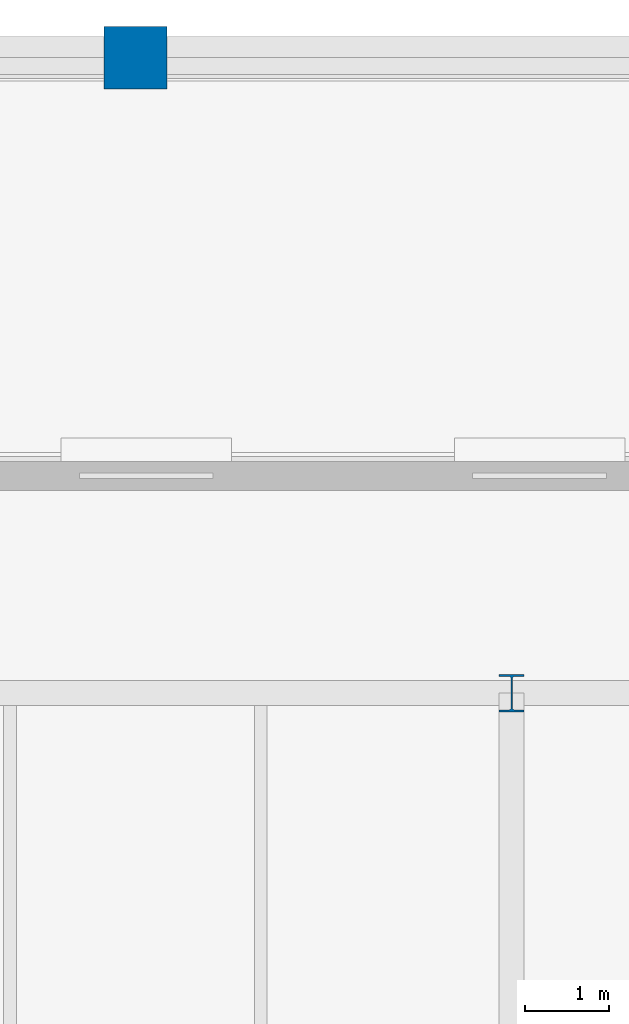
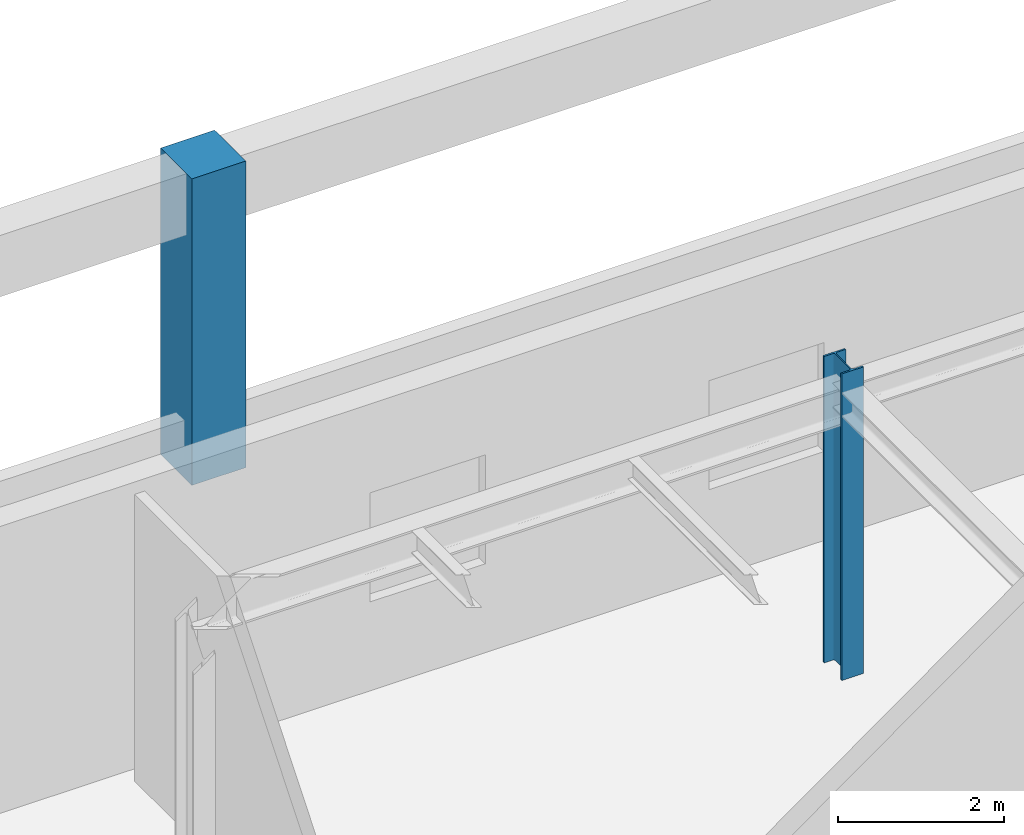
# One storey, part 15 of 64: 2 columns.
"""IFC4 building model written with IfcOpenShell, lengths in metres."""

from ifc_helpers import new_model, si_unit, direction, frame, origin, origin_2d, place, context, subcontext, project, spatial, rectangle, i_section, extrude, material, material_profile, profile_set, type_object, element, save


model = new_model("IFC4")

# Units and contexts
model_context = context("Model", 3, precision=1e-05, world=origin(), true_north=direction((0.0, 1.0)))
body_context = subcontext(model_context, "Body", "Model", "MODEL_VIEW")
ifc_project = project(units=[si_unit("LENGTHUNIT", "METRE"), si_unit("AREAUNIT", "SQUARE_METRE"), si_unit("VOLUMEUNIT", "CUBIC_METRE"), si_unit("PLANEANGLEUNIT", "RADIAN"), si_unit("MASSUNIT", "GRAM", prefix="KILO")], contexts=[model_context])

# Site, building, storey
site_placement = place(None, origin())
site = spatial("IfcSite", under=ifc_project, at=site_placement, CompositionType="ELEMENT")
building_placement = place(site_placement, origin())
building = spatial("IfcBuilding", under=site, at=building_placement, Name="Montealbar Specialist Clinic", CompositionType="ELEMENT")
storey_placement = place(building_placement, frame((0.0, 0.0, 5.10009765625)))
storey = spatial("IfcBuildingStorey", under=building, at=storey_placement, Name="L01", CompositionType="ELEMENT", Elevation=5.10009765625)

# Columns
ifc_material_1 = material(Name="Steel S355", Category="steel")
ifc_material_profile_1 = material_profile(ifc_material_1, i_section(OverallWidth=0.300048828125, OverallDepth=0.449951171875, WebThickness=0.013916015625, FlangeThickness=0.02587890625, FilletRadius=0.027099609375, at=origin_2d()), Name="HEB 450", Category="steel")
ifc_profile_set_1 = profile_set([ifc_material_profile_1], Name="Steel S355")
column_type_1 = type_object("IfcColumnType", Name="COL-S-L01-STD", PredefinedType="COLUMN", material=ifc_profile_set_1)
column_1_placement = place(storey_placement, frame((120.0, 103.39990234375, 0.0), z_axis=(0.0, 0.0, 1.0), x_axis=(1.0, 0.0, 0.0)))
element("IfcColumn", 1, at=column_1_placement, inside=storey, type_object=column_type_1, Name="Column 16/N L01", PredefinedType="COLUMN", context=body_context, shape_type="SweptSolid", body=[
    extrude(i_section(OverallWidth=0.300048828125, OverallDepth=0.449951171875, WebThickness=0.013916015625, FlangeThickness=0.02587890625, FilletRadius=0.027099609375, at=origin_2d()), origin(), (0.0, 0.0, 1.0), 4.5),
])
ifc_material_2 = material(Name="Guadarrama granite ashlar", Category="masonry")
ifc_material_profile_2 = material_profile(ifc_material_2, rectangle(XDim=0.75, YDim=0.75, at=origin_2d()), Name="GRANITE PILASTER 750x750", Category="masonry")
ifc_profile_set_2 = profile_set([ifc_material_profile_2], Name="Guadarrama granite ashlar")
column_type_2 = type_object("IfcColumnType", Name="PIL-PM-GIANT-EXT", PredefinedType="PILASTER", material=ifc_profile_set_2)
column_2_placement = place(storey_placement, frame((115.5, 111.0, 0.0), z_axis=(0.0, 0.0, 1.0), x_axis=(1.0, 0.0, 0.0)))
element("IfcColumn", 2, at=column_2_placement, inside=storey, type_object=column_type_2, Name="Column NP10/P L01", PredefinedType="PILASTER", context=body_context, shape_type="SweptSolid", body=[
    extrude(rectangle(XDim=0.75, YDim=0.75, at=origin_2d()), origin(), (0.0, 0.0, 1.0), 4.5),
])

save(model, "model.ifc")
